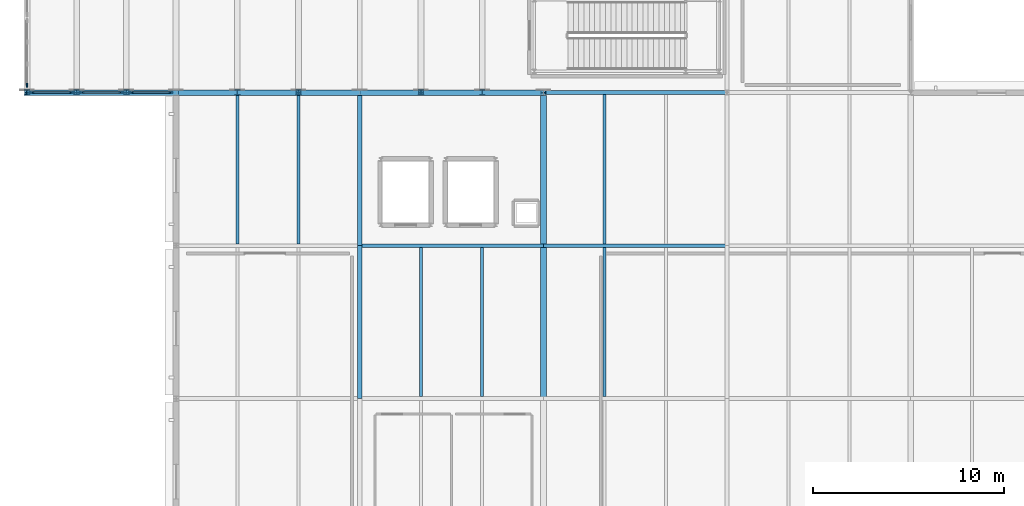
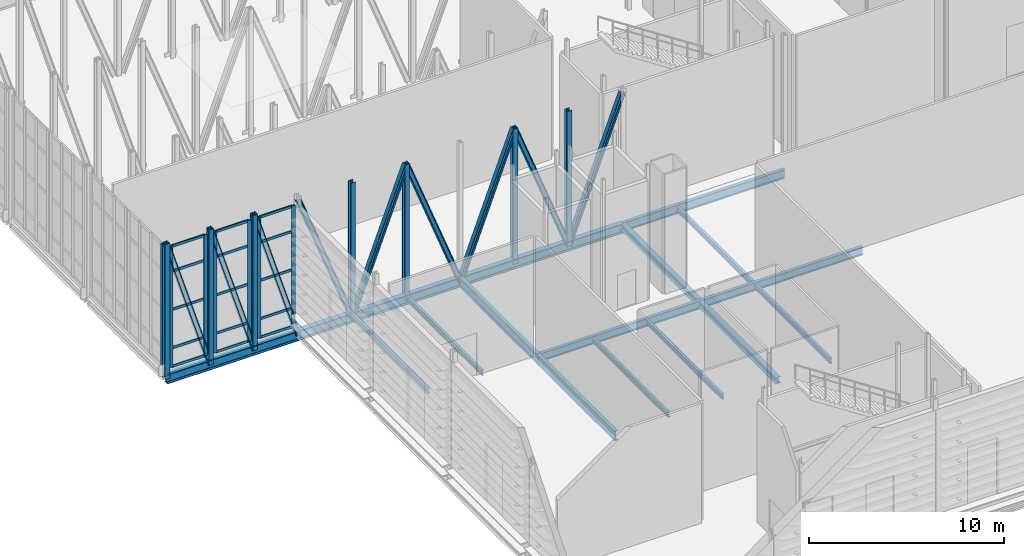
# One storey, part 16 of 73: 38 members, 14 beams, 4 elements without a shape of their own.
"""IFC4 building model written with IfcOpenShell, lengths in metres."""

from ifc_helpers import new_model, si_unit, direction, frame, origin, origin_2d, place, context, subcontext, project, spatial, rectangle, i_section, extrude, material, layer, layer_set, material_profile, profile_set, type_object, element, aggregate, save


model = new_model("IFC4")

# Units and contexts
model_context = context("Model", 3, precision=1e-05, world=origin(), true_north=direction((0.0, 1.0)))
body_context = subcontext(model_context, "Body", "Model", "MODEL_VIEW")
ifc_project = project(units=[si_unit("LENGTHUNIT", "METRE"), si_unit("AREAUNIT", "SQUARE_METRE"), si_unit("VOLUMEUNIT", "CUBIC_METRE"), si_unit("PLANEANGLEUNIT", "RADIAN"), si_unit("MASSUNIT", "GRAM", prefix="KILO")], contexts=[model_context])

# Site, building, storey
site_placement = place(None, origin())
site = spatial("IfcSite", under=ifc_project, at=site_placement, CompositionType="ELEMENT")
building_placement = place(site_placement, origin())
building = spatial("IfcBuilding", under=site, at=building_placement, Name="Alderhovde Museum", CompositionType="ELEMENT")
storey_placement = place(building_placement, frame((0.0, 0.0, 17.39990234375)))
storey = spatial("IfcBuildingStorey", under=building, at=storey_placement, Name="L04", CompositionType="ELEMENT", Elevation=17.39990234375)

# Beams
ifc_material_1 = material(Name="Steel S355J2", Category="steel")
ifc_material_profile_1 = material_profile(ifc_material_1, i_section(OverallWidth=0.300048828125, OverallDepth=0.389892578125, WebThickness=0.010986328125, FlangeThickness=0.01904296875, FilletRadius=0.027099609375, at=origin_2d()), Name="HEA 400")
ifc_profile_set_1 = profile_set([ifc_material_profile_1], Name="Steel S355J2")
beam_type_1 = type_object("IfcBeamType", Name="BM-HEA400", PredefinedType="BEAM", material=ifc_profile_set_1)
for number, where, z_axis, x_axis, name in (
    (1, (28.800048828125, 64.0, -0.474853515625), (0.0, 1.0, 0.0), (-1.0, 0.0, 0.0), "L04 Grid Beam X=28.8 (64.0 TO 72.0)"),
    (2, (28.800048828125, 72.0, -0.474853515625), (0.0, 1.0, 0.0), (-1.0, 0.0, 0.0), "L04 Grid Beam X=28.8 (72.0 TO 80.0)"),
):
    element("IfcBeam", number, at=place(storey_placement, frame(where, z_axis=z_axis, x_axis=x_axis)), inside=storey, type_object=beam_type_1, Name=name, PredefinedType="BEAM", context=body_context, shape_type="SweptSolid", body=[
        extrude(i_section(OverallWidth=0.300048828125, OverallDepth=0.389892578125, WebThickness=0.010986328125, FlangeThickness=0.01904296875, FilletRadius=0.027099609375, at=origin_2d()), origin(), (0.0, 0.0, 1.0), 8.0),
    ])
ifc_material_2 = material(Name="Steel S355J2", Category="steel")
ifc_material_profile_2 = material_profile(ifc_material_2, i_section(OverallWidth=0.300048828125, OverallDepth=0.60009765625, WebThickness=0.015380859375, FlangeThickness=0.030029296875, FilletRadius=0.027099609375, at=origin_2d()), Name="HEB 600")
ifc_profile_set_2 = profile_set([ifc_material_profile_2], Name="Steel S355J2")
beam_type_2 = type_object("IfcBeamType", Name="BM-HEB600", PredefinedType="BEAM", material=ifc_profile_set_2)
beam_1_placement = place(storey_placement, frame((1.800048828125, 80.0, -0.579833984375), z_axis=(1.0, 0.0, 0.0), x_axis=(0.0, 1.0, 0.0)))
element("IfcBeam", 3, at=beam_1_placement, inside=storey, type_object=beam_type_2, Name="Transfer Truss Y=80 MID Continuous Chord", PredefinedType="BEAM", context=body_context, shape_type="SweptSolid", body=[
    extrude(i_section(OverallWidth=0.300048828125, OverallDepth=0.60009765625, WebThickness=0.015380859375, FlangeThickness=0.030029296875, FilletRadius=0.027099609375, at=origin_2d()), origin(), (0.0, 0.0, 1.0), 27.0),
])
ifc_material_3 = material(Name="Steel S355J2", Category="steel")
ifc_material_profile_3 = material_profile(ifc_material_3, i_section(OverallWidth=0.199951171875, OverallDepth=0.5, WebThickness=0.01025390625, FlangeThickness=0.01611328125, FilletRadius=0.02099609375, at=origin_2d()), Name="IPE 500")
ifc_profile_set_3 = profile_set([ifc_material_profile_3], Name="Steel S355J2")
beam_type_3 = type_object("IfcBeamType", Name="BM-IPE500", PredefinedType="BEAM", material=ifc_profile_set_3)
beam_2_placement = place(storey_placement, frame((19.199951171875, 72.0, -0.52978515625), z_axis=(1.0, 0.0, 0.0), x_axis=(0.0, 1.0, 0.0)))
element("IfcBeam", 4, at=beam_2_placement, inside=storey, type_object=beam_type_3, Name="L04 Grid Beam Y=72.0 (19.2 TO 28.8)", PredefinedType="BEAM", context=body_context, shape_type="SweptSolid", body=[
    extrude(i_section(OverallWidth=0.199951171875, OverallDepth=0.5, WebThickness=0.01025390625, FlangeThickness=0.01611328125, FilletRadius=0.02099609375, at=origin_2d()), origin(), (0.0, 0.0, 1.0), 9.60009765625),
])
beam_3_placement = place(storey_placement, frame((28.800048828125, 72.0, -0.52978515625), z_axis=(1.0, 0.0, 0.0), x_axis=(0.0, 1.0, 0.0)))
element("IfcBeam", 5, at=beam_3_placement, inside=storey, type_object=beam_type_3, Name="L04 Grid Beam Y=72.0 (28.8 TO 38.4)", PredefinedType="BEAM", context=body_context, shape_type="SweptSolid", body=[
    extrude(i_section(OverallWidth=0.199951171875, OverallDepth=0.5, WebThickness=0.01025390625, FlangeThickness=0.01611328125, FilletRadius=0.02099609375, at=origin_2d()), origin(), (0.0, 0.0, 1.0), 9.599853515625),
])
ifc_material_4 = material(Name="Steel S355J2", Category="steel")
ifc_material_profile_4 = material_profile(ifc_material_4, i_section(OverallWidth=0.2099609375, OverallDepth=0.550048828125, WebThickness=0.010986328125, FlangeThickness=0.01708984375, FilletRadius=0.02392578125, at=origin_2d()), Name="IPE 550")
ifc_profile_set_4 = profile_set([ifc_material_profile_4], Name="Steel S355J2")
beam_type_4 = type_object("IfcBeamType", Name="BM-IPE550", PredefinedType="BEAM", material=ifc_profile_set_4)
beam_4_placement = place(storey_placement, frame((28.800048828125, 80.0, -0.554931640625), z_axis=(1.0, 0.0, 0.0), x_axis=(0.0, 1.0, 0.0)))
element("IfcBeam", 6, at=beam_4_placement, inside=storey, type_object=beam_type_4, Name="L04 Grid Beam Y=80.0 (28.8 TO 38.4)", PredefinedType="BEAM", context=body_context, shape_type="SweptSolid", body=[
    extrude(i_section(OverallWidth=0.2099609375, OverallDepth=0.550048828125, WebThickness=0.010986328125, FlangeThickness=0.01708984375, FilletRadius=0.02392578125, at=origin_2d()), origin(), (0.0, 0.0, 1.0), 9.599853515625),
])
ifc_material_5 = material(Name="Steel S355J2", Category="steel")
ifc_material_profile_5 = material_profile(ifc_material_5, i_section(OverallWidth=0.219970703125, OverallDepth=0.60009765625, WebThickness=0.011962890625, FlangeThickness=0.01904296875, FilletRadius=0.02392578125, at=origin_2d()), Name="IPE 600")
ifc_profile_set_5 = profile_set([ifc_material_profile_5], Name="Steel S355J2")
beam_type_5 = type_object("IfcBeamType", Name="BM-IPE600", PredefinedType="BEAM", material=ifc_profile_set_5)
for number, where, z_axis, x_axis, name in (
    (7, (19.199951171875, 64.0, -0.579833984375), (0.0, 1.0, 0.0), (-1.0, 0.0, 0.0), "L04 Grid Beam X=19.2 (64.0 TO 72.0)"),
    (8, (19.199951171875, 72.0, -0.579833984375), (0.0, 1.0, 0.0), (-1.0, 0.0, 0.0), "L04 Grid Beam X=19.2 (72.0 TO 80.0)"),
):
    element("IfcBeam", number, at=place(storey_placement, frame(where, z_axis=z_axis, x_axis=x_axis)), inside=storey, type_object=beam_type_5, Name=name, PredefinedType="BEAM", context=body_context, shape_type="SweptSolid", body=[
        extrude(i_section(OverallWidth=0.219970703125, OverallDepth=0.60009765625, WebThickness=0.011962890625, FlangeThickness=0.01904296875, FilletRadius=0.02392578125, at=origin_2d()), origin(), (0.0, 0.0, 1.0), 8.0),
    ])

# Curtain wall, member
ifc_material_6 = material(Name="Triple-Glazed Bronze-Anodised Curtain Wall", Category="glass")
ifc_layer_1 = layer(ifc_material_6, 0.219970703125)
ifc_layer_set_1 = layer_set([ifc_layer_1], Name="Triple-Glazed Bronze-Anodised Curtain Wall")
curtain_wall_type_1 = type_object("IfcCurtainWallType", Name="CW-UNIT-345x760", PredefinedType="USERDEFINED", material=ifc_layer_set_1)
curtain_wall_1_placement = place(storey_placement, origin())
curtain_wall_1 = element("IfcCurtainWall", 9, at=curtain_wall_1_placement, inside=storey, type_object=curtain_wall_type_1, Name="L04 Unitised Curtain Wall 111", ObjectType="UNITISED CURTAIN WALL", PredefinedType="USERDEFINED")
ifc_material_7 = material(Name="Bronze-Anodised Aluminium EN AW-6063-T6", Category="aluminium")
ifc_material_profile_6 = material_profile(ifc_material_7, rectangle(XDim=0.074951171875, YDim=0.219970703125, at=origin_2d()), Name="MULLION 75x220")
ifc_profile_set_6 = profile_set([ifc_material_profile_6], Name="Bronze-Anodised Aluminium EN AW-6063-T6")
member_type_1 = type_object("IfcMemberType", Name="CWM-75x220", PredefinedType="MULLION", material=ifc_profile_set_6)
member_1_placement = place(storey_placement, frame((1.800048828125, 80.387451171875, 0.0), z_axis=(0.0, 0.0, 1.0), x_axis=(-1.0, 0.0, 0.0)))
member_1 = element("IfcMember", 10, at=member_1_placement, type_object=member_type_1, Name="CW27 mullion 1", PredefinedType="MULLION", context=body_context, shape_type="SweptSolid", body=[
    extrude(rectangle(XDim=0.074951171875, YDim=0.219970703125, at=origin_2d()), origin(), (0.0, 0.0, 1.0), 7.60009765625),
])
aggregate(curtain_wall_1, [member_1])

# Curtain wall, members
ifc_material_8 = material(Name="Triple-Glazed Bronze-Anodised Curtain Wall", Category="glass")
ifc_layer_2 = layer(ifc_material_8, 0.219970703125)
ifc_layer_set_2 = layer_set([ifc_layer_2], Name="Triple-Glazed Bronze-Anodised Curtain Wall")
curtain_wall_type_2 = type_object("IfcCurtainWallType", Name="CW-UNIT-212x760", PredefinedType="USERDEFINED", material=ifc_layer_set_2)
curtain_wall_2_placement = place(storey_placement, origin())
curtain_wall_2 = element("IfcCurtainWall", 11, at=curtain_wall_2_placement, inside=storey, type_object=curtain_wall_type_2, Name="L04 Unitised Curtain Wall 120", ObjectType="UNITISED CURTAIN WALL", PredefinedType="USERDEFINED")
member_2_placement = place(storey_placement, frame((2.077392578125, 80.0, 0.0), z_axis=(0.0, 0.0, 1.0), x_axis=(0.0, 1.0, 0.0)))
member_2 = element("IfcMember", 12, at=member_2_placement, type_object=member_type_1, Name="CW29 mullion 1", PredefinedType="MULLION", context=body_context, shape_type="SweptSolid", body=[
    extrude(rectangle(XDim=0.074951171875, YDim=0.219970703125, at=origin_2d()), origin(), (0.0, 0.0, 1.0), 7.60009765625),
])
member_3_placement = place(storey_placement, frame((4.12255859375, 80.0, 0.0), z_axis=(0.0, 0.0, 1.0), x_axis=(0.0, 1.0, 0.0)))
member_3 = element("IfcMember", 13, at=member_3_placement, type_object=member_type_1, Name="CW29 mullion 2", PredefinedType="MULLION", context=body_context, shape_type="SweptSolid", body=[
    extrude(rectangle(XDim=0.074951171875, YDim=0.219970703125, at=origin_2d()), origin(), (0.0, 0.0, 1.0), 7.60009765625),
])

curtain_wall_3_placement = place(storey_placement, origin())
curtain_wall_3 = element("IfcCurtainWall", 14, at=curtain_wall_3_placement, inside=storey, type_object=curtain_wall_type_2, Name="L04 Unitised Curtain Wall 122", ObjectType="UNITISED CURTAIN WALL", PredefinedType="USERDEFINED")
member_4_placement = place(storey_placement, frame((4.677490234375, 80.0, 0.0), z_axis=(0.0, 0.0, 1.0), x_axis=(0.0, 1.0, 0.0)))
member_4 = element("IfcMember", 15, at=member_4_placement, type_object=member_type_1, Name="CW29 mullion 1", PredefinedType="MULLION", context=body_context, shape_type="SweptSolid", body=[
    extrude(rectangle(XDim=0.074951171875, YDim=0.219970703125, at=origin_2d()), origin(), (0.0, 0.0, 1.0), 7.60009765625),
])
member_5_placement = place(storey_placement, frame((6.722412109375, 80.0, 0.0), z_axis=(0.0, 0.0, 1.0), x_axis=(0.0, 1.0, 0.0)))
member_5 = element("IfcMember", 16, at=member_5_placement, type_object=member_type_1, Name="CW29 mullion 2", PredefinedType="MULLION", context=body_context, shape_type="SweptSolid", body=[
    extrude(rectangle(XDim=0.074951171875, YDim=0.219970703125, at=origin_2d()), origin(), (0.0, 0.0, 1.0), 7.60009765625),
])

curtain_wall_4_placement = place(storey_placement, origin())
curtain_wall_4 = element("IfcCurtainWall", 17, at=curtain_wall_4_placement, inside=storey, type_object=curtain_wall_type_2, Name="L04 Unitised Curtain Wall 124", ObjectType="UNITISED CURTAIN WALL", PredefinedType="USERDEFINED")
member_6_placement = place(storey_placement, frame((7.277587890625, 80.0, 0.0), z_axis=(0.0, 0.0, 1.0), x_axis=(0.0, 1.0, 0.0)))
member_6 = element("IfcMember", 18, at=member_6_placement, type_object=member_type_1, Name="CW29 mullion 1", PredefinedType="MULLION", context=body_context, shape_type="SweptSolid", body=[
    extrude(rectangle(XDim=0.074951171875, YDim=0.219970703125, at=origin_2d()), origin(), (0.0, 0.0, 1.0), 7.60009765625),
])
member_7_placement = place(storey_placement, frame((9.322509765625, 80.0, 0.0), z_axis=(0.0, 0.0, 1.0), x_axis=(0.0, 1.0, 0.0)))
member_7 = element("IfcMember", 19, at=member_7_placement, type_object=member_type_1, Name="CW29 mullion 2", PredefinedType="MULLION", context=body_context, shape_type="SweptSolid", body=[
    extrude(rectangle(XDim=0.074951171875, YDim=0.219970703125, at=origin_2d()), origin(), (0.0, 0.0, 1.0), 7.60009765625),
])

# Member
ifc_material_9 = material(Name="Bronze-Anodised Aluminium EN AW-6063-T6", Category="aluminium")
ifc_material_profile_7 = material_profile(ifc_material_9, rectangle(XDim=0.074951171875, YDim=0.159912109375, at=origin_2d()), Name="TRANSOM 75x160")
ifc_profile_set_7 = profile_set([ifc_material_profile_7], Name="Bronze-Anodised Aluminium EN AW-6063-T6")
member_type_2 = type_object("IfcMemberType", Name="CWT-75x160", PredefinedType="USERDEFINED", material=ifc_profile_set_7)
member_8_placement = place(storey_placement, frame((2.114990234375, 80.0, 0.03759765625), z_axis=(1.0, 0.0, 0.0), x_axis=(0.0, 1.0, 0.0)))
member_8 = element("IfcMember", 20, at=member_8_placement, type_object=member_type_2, Name="CW29 transom 1.1", ObjectType="TRANSOM", PredefinedType="USERDEFINED", context=body_context, shape_type="SweptSolid", body=[
    extrude(rectangle(XDim=0.074951171875, YDim=0.159912109375, at=origin_2d()), origin(), (0.0, 0.0, 1.0), 1.969970703125),
])

member_9_placement = place(storey_placement, frame((2.114990234375, 80.0, 1.2001953125), z_axis=(1.0, 0.0, 0.0), x_axis=(0.0, 1.0, 0.0)))
member_9 = element("IfcMember", 21, at=member_9_placement, type_object=member_type_2, Name="CW29 transom 1.2", ObjectType="TRANSOM", PredefinedType="USERDEFINED", context=body_context, shape_type="SweptSolid", body=[
    extrude(rectangle(XDim=0.074951171875, YDim=0.159912109375, at=origin_2d()), origin(), (0.0, 0.0, 1.0), 1.969970703125),
])

member_10_placement = place(storey_placement, frame((2.114990234375, 80.0, 3.60009765625), z_axis=(1.0, 0.0, 0.0), x_axis=(0.0, 1.0, 0.0)))
member_10 = element("IfcMember", 22, at=member_10_placement, type_object=member_type_2, Name="CW29 transom 1.3", ObjectType="TRANSOM", PredefinedType="USERDEFINED", context=body_context, shape_type="SweptSolid", body=[
    extrude(rectangle(XDim=0.074951171875, YDim=0.159912109375, at=origin_2d()), origin(), (0.0, 0.0, 1.0), 1.969970703125),
])

member_11_placement = place(storey_placement, frame((2.114990234375, 80.0, 6.0), z_axis=(1.0, 0.0, 0.0), x_axis=(0.0, 1.0, 0.0)))
member_11 = element("IfcMember", 23, at=member_11_placement, type_object=member_type_2, Name="CW29 transom 1.4", ObjectType="TRANSOM", PredefinedType="USERDEFINED", context=body_context, shape_type="SweptSolid", body=[
    extrude(rectangle(XDim=0.074951171875, YDim=0.159912109375, at=origin_2d()), origin(), (0.0, 0.0, 1.0), 1.969970703125),
])

member_12_placement = place(storey_placement, frame((2.114990234375, 80.0, 7.5625), z_axis=(1.0, 0.0, 0.0), x_axis=(0.0, 1.0, 0.0)))
member_12 = element("IfcMember", 24, at=member_12_placement, type_object=member_type_2, Name="CW29 transom 1.5", ObjectType="TRANSOM", PredefinedType="USERDEFINED", context=body_context, shape_type="SweptSolid", body=[
    extrude(rectangle(XDim=0.074951171875, YDim=0.159912109375, at=origin_2d()), origin(), (0.0, 0.0, 1.0), 1.969970703125),
])

aggregate(curtain_wall_2, [member_2, member_3, member_8, member_9, member_10, member_11, member_12])

member_13_placement = place(storey_placement, frame((4.715087890625, 80.0, 0.03759765625), z_axis=(1.0, 0.0, 0.0), x_axis=(0.0, 1.0, 0.0)))
member_13 = element("IfcMember", 25, at=member_13_placement, type_object=member_type_2, Name="CW29 transom 1.1", ObjectType="TRANSOM", PredefinedType="USERDEFINED", context=body_context, shape_type="SweptSolid", body=[
    extrude(rectangle(XDim=0.074951171875, YDim=0.159912109375, at=origin_2d()), origin(), (0.0, 0.0, 1.0), 1.969970703125),
])

member_14_placement = place(storey_placement, frame((4.715087890625, 80.0, 1.2001953125), z_axis=(1.0, 0.0, 0.0), x_axis=(0.0, 1.0, 0.0)))
member_14 = element("IfcMember", 26, at=member_14_placement, type_object=member_type_2, Name="CW29 transom 1.2", ObjectType="TRANSOM", PredefinedType="USERDEFINED", context=body_context, shape_type="SweptSolid", body=[
    extrude(rectangle(XDim=0.074951171875, YDim=0.159912109375, at=origin_2d()), origin(), (0.0, 0.0, 1.0), 1.969970703125),
])

member_15_placement = place(storey_placement, frame((4.715087890625, 80.0, 3.60009765625), z_axis=(1.0, 0.0, 0.0), x_axis=(0.0, 1.0, 0.0)))
member_15 = element("IfcMember", 27, at=member_15_placement, type_object=member_type_2, Name="CW29 transom 1.3", ObjectType="TRANSOM", PredefinedType="USERDEFINED", context=body_context, shape_type="SweptSolid", body=[
    extrude(rectangle(XDim=0.074951171875, YDim=0.159912109375, at=origin_2d()), origin(), (0.0, 0.0, 1.0), 1.969970703125),
])

member_16_placement = place(storey_placement, frame((4.715087890625, 80.0, 6.0), z_axis=(1.0, 0.0, 0.0), x_axis=(0.0, 1.0, 0.0)))
member_16 = element("IfcMember", 28, at=member_16_placement, type_object=member_type_2, Name="CW29 transom 1.4", ObjectType="TRANSOM", PredefinedType="USERDEFINED", context=body_context, shape_type="SweptSolid", body=[
    extrude(rectangle(XDim=0.074951171875, YDim=0.159912109375, at=origin_2d()), origin(), (0.0, 0.0, 1.0), 1.969970703125),
])

member_17_placement = place(storey_placement, frame((4.715087890625, 80.0, 7.5625), z_axis=(1.0, 0.0, 0.0), x_axis=(0.0, 1.0, 0.0)))
member_17 = element("IfcMember", 29, at=member_17_placement, type_object=member_type_2, Name="CW29 transom 1.5", ObjectType="TRANSOM", PredefinedType="USERDEFINED", context=body_context, shape_type="SweptSolid", body=[
    extrude(rectangle(XDim=0.074951171875, YDim=0.159912109375, at=origin_2d()), origin(), (0.0, 0.0, 1.0), 1.969970703125),
])

aggregate(curtain_wall_3, [member_4, member_5, member_13, member_14, member_15, member_16, member_17])

member_18_placement = place(storey_placement, frame((7.31494140625, 80.0, 0.03759765625), z_axis=(1.0, 0.0, 0.0), x_axis=(0.0, 1.0, 0.0)))
member_18 = element("IfcMember", 30, at=member_18_placement, type_object=member_type_2, Name="CW29 transom 1.1", ObjectType="TRANSOM", PredefinedType="USERDEFINED", context=body_context, shape_type="SweptSolid", body=[
    extrude(rectangle(XDim=0.074951171875, YDim=0.159912109375, at=origin_2d()), origin(), (0.0, 0.0, 1.0), 1.969970703125),
])

member_19_placement = place(storey_placement, frame((7.31494140625, 80.0, 1.2001953125), z_axis=(1.0, 0.0, 0.0), x_axis=(0.0, 1.0, 0.0)))
member_19 = element("IfcMember", 31, at=member_19_placement, type_object=member_type_2, Name="CW29 transom 1.2", ObjectType="TRANSOM", PredefinedType="USERDEFINED", context=body_context, shape_type="SweptSolid", body=[
    extrude(rectangle(XDim=0.074951171875, YDim=0.159912109375, at=origin_2d()), origin(), (0.0, 0.0, 1.0), 1.969970703125),
])

member_20_placement = place(storey_placement, frame((7.31494140625, 80.0, 3.60009765625), z_axis=(1.0, 0.0, 0.0), x_axis=(0.0, 1.0, 0.0)))
member_20 = element("IfcMember", 32, at=member_20_placement, type_object=member_type_2, Name="CW29 transom 1.3", ObjectType="TRANSOM", PredefinedType="USERDEFINED", context=body_context, shape_type="SweptSolid", body=[
    extrude(rectangle(XDim=0.074951171875, YDim=0.159912109375, at=origin_2d()), origin(), (0.0, 0.0, 1.0), 1.969970703125),
])

member_21_placement = place(storey_placement, frame((7.31494140625, 80.0, 6.0), z_axis=(1.0, 0.0, 0.0), x_axis=(0.0, 1.0, 0.0)))
member_21 = element("IfcMember", 33, at=member_21_placement, type_object=member_type_2, Name="CW29 transom 1.4", ObjectType="TRANSOM", PredefinedType="USERDEFINED", context=body_context, shape_type="SweptSolid", body=[
    extrude(rectangle(XDim=0.074951171875, YDim=0.159912109375, at=origin_2d()), origin(), (0.0, 0.0, 1.0), 1.969970703125),
])

member_22_placement = place(storey_placement, frame((7.31494140625, 80.0, 7.5625), z_axis=(1.0, 0.0, 0.0), x_axis=(0.0, 1.0, 0.0)))
member_22 = element("IfcMember", 34, at=member_22_placement, type_object=member_type_2, Name="CW29 transom 1.5", ObjectType="TRANSOM", PredefinedType="USERDEFINED", context=body_context, shape_type="SweptSolid", body=[
    extrude(rectangle(XDim=0.074951171875, YDim=0.159912109375, at=origin_2d()), origin(), (0.0, 0.0, 1.0), 1.969970703125),
])

aggregate(curtain_wall_4, [member_6, member_7, member_18, member_19, member_20, member_21, member_22])

# Beams
ifc_material_10 = material(Name="Steel S355J2", Category="steel")
ifc_material_profile_8 = material_profile(ifc_material_10, i_section(OverallWidth=0.159912109375, OverallDepth=0.330078125, WebThickness=0.007568359375, FlangeThickness=0.011474609375, FilletRadius=0.01806640625, at=origin_2d()), Name="IPE 330")
ifc_profile_set_8 = profile_set([ifc_material_profile_8], Name="Steel S355J2")
beam_type_6 = type_object("IfcBeamType", Name="JST-IPE330", PredefinedType="JOIST", material=ifc_profile_set_8)
for number, where, z_axis, x_axis, name in (
    (35, (12.800048828125, 72.10009765625, -0.44482421875), (0.0, 1.0, 0.0), (-1.0, 0.0, 0.0), "L04 Composite Joist X=12.8 (72.0 TO 80.0)"),
    (36, (16.0, 72.10009765625, -0.44482421875), (0.0, 1.0, 0.0), (-1.0, 0.0, 0.0), "L04 Composite Joist X=16.0 (72.0 TO 80.0)"),
):
    element("IfcBeam", number, at=place(storey_placement, frame(where, z_axis=z_axis, x_axis=x_axis)), inside=storey, type_object=beam_type_6, Name=name, PredefinedType="JOIST", context=body_context, shape_type="SweptSolid", body=[
        extrude(i_section(OverallWidth=0.159912109375, OverallDepth=0.330078125, WebThickness=0.007568359375, FlangeThickness=0.011474609375, FilletRadius=0.01806640625, at=origin_2d()), origin(), (0.0, 0.0, 1.0), 7.75),
    ])
for number, where, z_axis, x_axis, name in (
    (37, (22.39990234375, 64.10498046875, -0.44482421875), (0.0, 1.0, 0.0), (-1.0, 0.0, 0.0), "L04 Composite Joist X=22.4 (64.0 TO 72.0)"),
    (38, (25.60009765625, 64.10498046875, -0.44482421875), (0.0, 1.0, 0.0), (-1.0, 0.0, 0.0), "L04 Composite Joist X=25.6 (64.0 TO 72.0)"),
    (39, (32.0, 64.10498046875, -0.44482421875), (0.0, 1.0, 0.0), (-1.0, 0.0, 0.0), "L04 Composite Joist X=32.0 (64.0 TO 72.0)"),
    (40, (32.0, 72.10009765625, -0.44482421875), (0.0, 1.0, 0.0), (-1.0, 0.0, 0.0), "L04 Composite Joist X=32.0 (72.0 TO 80.0)"),
):
    element("IfcBeam", number, at=place(storey_placement, frame(where, z_axis=z_axis, x_axis=x_axis)), inside=storey, type_object=beam_type_6, Name=name, PredefinedType="JOIST", context=body_context, shape_type="SweptSolid", body=[
        extrude(i_section(OverallWidth=0.159912109375, OverallDepth=0.330078125, WebThickness=0.007568359375, FlangeThickness=0.011474609375, FilletRadius=0.01806640625, at=origin_2d()), origin(), (0.0, 0.0, 1.0), 7.794921875),
    ])

# Members
ifc_material_11 = material(Name="Steel S355J2", Category="steel")
ifc_material_profile_9 = material_profile(ifc_material_11, i_section(OverallWidth=0.280029296875, OverallDepth=0.27001953125, WebThickness=0.008056640625, FlangeThickness=0.012939453125, FilletRadius=0.02392578125, at=origin_2d()), Name="HEA 280")
ifc_profile_set_9 = profile_set([ifc_material_profile_9], Name="Steel S355J2")
member_type_3 = type_object("IfcMemberType", Name="TR-DG-HEA280", PredefinedType="STRUT", material=ifc_profile_set_9)
for number, where, z_axis, x_axis, name in (
    (41, (1.800048828125, 80.0, 7.89013671875), (0.293437112853, 0.0, -0.955978378835), (0.0, 1.0, 0.0), "Transfer Truss Y=80 T2 Diagonal 1"),
    (42, (4.39990234375, 80.0, 7.89013671875), (0.293462295251, 0.0, -0.955970648747), (0.0, 1.0, 0.0), "Transfer Truss Y=80 T2 Diagonal 2"),
    (43, (7.0, 80.0, 7.89013671875), (0.293462295251, 0.0, -0.955970648747), (0.0, 1.0, 0.0), "Transfer Truss Y=80 T2 Diagonal 3"),
):
    element("IfcMember", number, at=place(storey_placement, frame(where, z_axis=z_axis, x_axis=x_axis)), inside=storey, type_object=member_type_3, Name=name, PredefinedType="STRUT", context=body_context, shape_type="SweptSolid", body=[
        extrude(i_section(OverallWidth=0.280029296875, OverallDepth=0.27001953125, WebThickness=0.008056640625, FlangeThickness=0.012939453125, FilletRadius=0.02392578125, at=origin_2d()), origin(), (0.0, 0.0, 1.0), 8.860107421875),
    ])
for number, where, z_axis, x_axis, name in (
    (44, (9.60009765625, 80.0, 7.89013671875), (0.353418397118, 0.0, -0.935465358299), (0.0, 1.0, 0.0), "Transfer Truss Y=80 T2 Diagonal 4"),
    (45, (12.800048828125, 80.0, -0.579833984375), (0.353418397118, 0.0, 0.935465358299), (0.0, 1.0, 0.0), "Transfer Truss Y=80 T2 Diagonal 5"),
    (46, (16.0, 80.0, 7.89013671875), (0.353418397118, 0.0, -0.935465358299), (0.0, 1.0, 0.0), "Transfer Truss Y=80 T2 Diagonal 6"),
    (47, (19.199951171875, 80.0, -0.579833984375), (0.353418397118, 0.0, 0.935465358299), (0.0, 1.0, 0.0), "Transfer Truss Y=80 T2 Diagonal 7"),
):
    element("IfcMember", number, at=place(storey_placement, frame(where, z_axis=z_axis, x_axis=x_axis)), inside=storey, type_object=member_type_3, Name=name, PredefinedType="STRUT", context=body_context, shape_type="SweptSolid", body=[
        extrude(i_section(OverallWidth=0.280029296875, OverallDepth=0.27001953125, WebThickness=0.008056640625, FlangeThickness=0.012939453125, FilletRadius=0.02392578125, at=origin_2d()), origin(), (0.0, 0.0, 1.0), 9.05419921875),
    ])
member_23_placement = place(storey_placement, frame((22.39990234375, 80.0, 7.89013671875), z_axis=(0.353441992938, 0.0, -0.935456443469), x_axis=(0.0, 1.0, 0.0)))
element("IfcMember", 48, at=member_23_placement, inside=storey, type_object=member_type_3, Name="Transfer Truss Y=80 T2 Diagonal 8", PredefinedType="STRUT", context=body_context, shape_type="SweptSolid", body=[
    extrude(i_section(OverallWidth=0.280029296875, OverallDepth=0.27001953125, WebThickness=0.008056640625, FlangeThickness=0.012939453125, FilletRadius=0.02392578125, at=origin_2d()), origin(), (0.0, 0.0, 1.0), 9.054443359375),
])
member_24_placement = place(storey_placement, frame((25.60009765625, 80.0, -0.579833984375), z_axis=(0.353418397118, 0.0, 0.935465358299), x_axis=(0.0, 1.0, 0.0)))
element("IfcMember", 49, at=member_24_placement, inside=storey, type_object=member_type_3, Name="Transfer Truss Y=80 T2 Diagonal 9", PredefinedType="STRUT", context=body_context, shape_type="SweptSolid", body=[
    extrude(i_section(OverallWidth=0.280029296875, OverallDepth=0.27001953125, WebThickness=0.008056640625, FlangeThickness=0.012939453125, FilletRadius=0.02392578125, at=origin_2d()), origin(), (0.0, 0.0, 1.0), 9.05419921875),
])
ifc_material_12 = material(Name="Steel S355J2", Category="steel")
ifc_material_profile_10 = material_profile(ifc_material_12, i_section(OverallWidth=0.280029296875, OverallDepth=0.280029296875, WebThickness=0.010498046875, FlangeThickness=0.01806640625, FilletRadius=0.02392578125, at=origin_2d()), Name="HEB 280")
ifc_profile_set_10 = profile_set([ifc_material_profile_10], Name="Steel S355J2")
member_type_4 = type_object("IfcMemberType", Name="TR-PS-HEB280", PredefinedType="POST", material=ifc_profile_set_10)
for number, where, z_axis, x_axis, name in (
    (50, (1.800048828125, 80.0, -0.579833984375), (0.0, 0.0, 1.0), (1.0, 0.0, 0.0), "Transfer Truss Y=80 T2 Post 1"),
    (51, (4.39990234375, 80.0, -0.579833984375), (0.0, 0.0, 1.0), (1.0, 0.0, 0.0), "Transfer Truss Y=80 T2 Post 2"),
    (52, (7.0, 80.0, -0.579833984375), (0.0, 0.0, 1.0), (1.0, 0.0, 0.0), "Transfer Truss Y=80 T2 Post 3"),
    (53, (12.800048828125, 80.0, -0.579833984375), (0.0, 0.0, 1.0), (1.0, 0.0, 0.0), "Transfer Truss Y=80 T2 Post 5"),
    (54, (16.0, 80.0, -0.579833984375), (0.0, 0.0, 1.0), (1.0, 0.0, 0.0), "Transfer Truss Y=80 T2 Post 6"),
    (55, (22.39990234375, 80.0, -0.579833984375), (0.0, 0.0, 1.0), (1.0, 0.0, 0.0), "Transfer Truss Y=80 T2 Post 8"),
    (56, (25.60009765625, 80.0, -0.579833984375), (0.0, 0.0, 1.0), (1.0, 0.0, 0.0), "Transfer Truss Y=80 T2 Post 9"),
):
    element("IfcMember", number, at=place(storey_placement, frame(where, z_axis=z_axis, x_axis=x_axis)), inside=storey, type_object=member_type_4, Name=name, PredefinedType="POST", context=body_context, shape_type="SweptSolid", body=[
        extrude(i_section(OverallWidth=0.280029296875, OverallDepth=0.280029296875, WebThickness=0.010498046875, FlangeThickness=0.01806640625, FilletRadius=0.02392578125, at=origin_2d()), origin(), (0.0, 0.0, 1.0), 8.469970703125),
    ])

save(model, "model.ifc")
